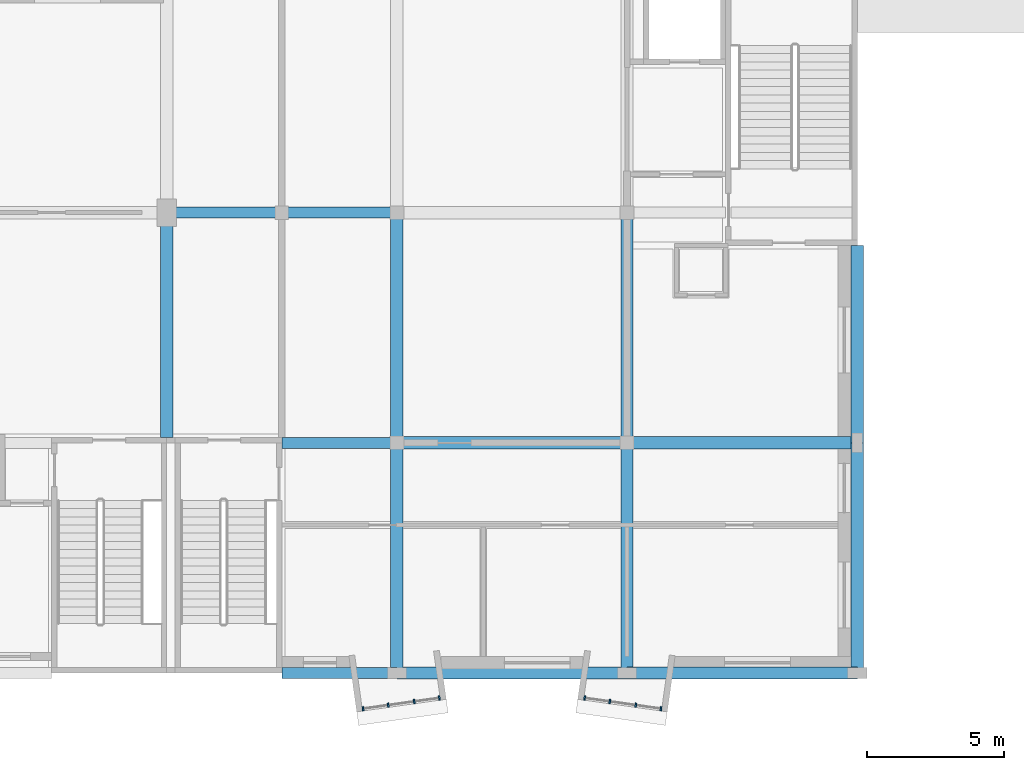
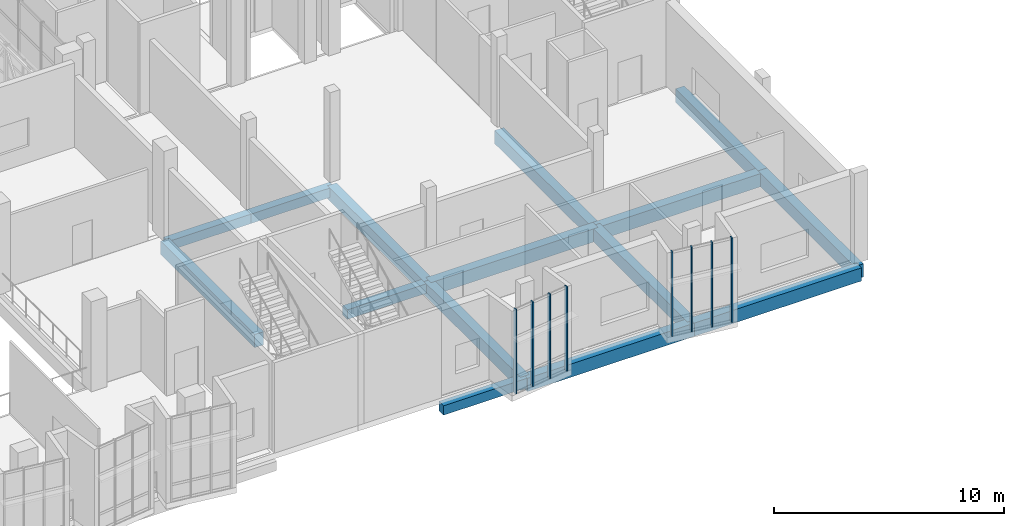
# One storey, part 6 of 86: 15 beams, 8 members, 2 elements without a shape of their own.
"""IFC4 building model written with IfcOpenShell, lengths in metres."""

from ifc_helpers import new_model, si_unit, direction, frame, origin, origin_2d, place, context, subcontext, project, spatial, rectangle, extrude, material, layer, layer_set, material_profile, profile_set, type_object, element, aggregate, save


model = new_model("IFC4")

# Units and contexts
model_context = context("Model", 3, precision=1e-05, world=origin(), true_north=direction((0.0, 1.0)))
body_context = subcontext(model_context, "Body", "Model", "MODEL_VIEW")
ifc_project = project(units=[si_unit("LENGTHUNIT", "METRE"), si_unit("AREAUNIT", "SQUARE_METRE"), si_unit("VOLUMEUNIT", "CUBIC_METRE"), si_unit("PLANEANGLEUNIT", "RADIAN"), si_unit("MASSUNIT", "GRAM", prefix="KILO")], contexts=[model_context])

# Site, building, storey
site_placement = place(None, origin())
site = spatial("IfcSite", under=ifc_project, at=site_placement, CompositionType="ELEMENT")
building_placement = place(site_placement, origin())
building = spatial("IfcBuilding", under=site, at=building_placement, Name="Kiln Court Media Centre", CompositionType="ELEMENT")
storey_placement = place(building_placement, frame((0.0, 0.0, 10.199951171875)))
storey = spatial("IfcBuildingStorey", under=building, at=storey_placement, Name="L02", CompositionType="ELEMENT", Elevation=10.199951171875)

# Curtain wall, members
ifc_material_1 = material(Name="Aluminium 6063-T6", Category="aluminium")
ifc_layer = layer(ifc_material_1, 0.1201171875)
ifc_layer_set = layer_set([ifc_layer], Name="Aluminium unitised bay curtain wall")
curtain_wall_type = type_object("IfcCurtainWallType", Name="Aluminium unitised bay curtain wall", PredefinedType="USERDEFINED", material=ifc_layer_set)
curtain_wall_1_placement = place(storey_placement, origin())
curtain_wall_1 = element("IfcCurtainWall", 1, at=curtain_wall_1_placement, inside=storey, type_object=curtain_wall_type, Name="BAY V6B-S-L02-04 front", ObjectType="UNITISED CURTAIN WALL", PredefinedType="USERDEFINED")
ifc_material_2 = material(Name="Aluminium 6063-T6", Category="aluminium")
ifc_material_profile_1 = material_profile(ifc_material_2, rectangle(XDim=0.06005859375, YDim=0.159912109375, at=origin_2d()), Name="Aluminium mullion 60x160")
ifc_profile_set_1 = profile_set([ifc_material_profile_1], Name="Aluminium 6063-T6")
member_type = type_object("IfcMemberType", Name="Aluminium mullion 60x160", PredefinedType="MULLION", material=ifc_profile_set_1)
member_1_placement = place(storey_placement, frame((40.764404296875, -1.3046875, 0.0), z_axis=(0.0, 0.0, 1.0), x_axis=(0.990269562409, 0.139162472554, 0.0)))
member_1 = element("IfcMember", 2, at=member_1_placement, type_object=member_type, Name="CW2-13 mullion 1", PredefinedType="MULLION", context=body_context, shape_type="SweptSolid", body=[
    extrude(rectangle(XDim=0.06005859375, YDim=0.159912109375, at=origin_2d()), origin(), (0.0, 0.0, 1.0), 4.5),
])
member_2_placement = place(storey_placement, frame((41.68212890625, -1.17578125, 0.0), z_axis=(0.0, 0.0, 1.0), x_axis=(0.990269562409, 0.139162472554, 0.0)))
member_2 = element("IfcMember", 3, at=member_2_placement, type_object=member_type, Name="CW2-13 mullion 2", PredefinedType="MULLION", context=body_context, shape_type="SweptSolid", body=[
    extrude(rectangle(XDim=0.06005859375, YDim=0.159912109375, at=origin_2d()), origin(), (0.0, 0.0, 1.0), 4.5),
])
member_3_placement = place(storey_placement, frame((42.629638671875, -1.04248046875, 0.0), z_axis=(0.0, 0.0, 1.0), x_axis=(0.990269562409, 0.139162472554, 0.0)))
member_3 = element("IfcMember", 4, at=member_3_placement, type_object=member_type, Name="CW2-13 mullion 3", PredefinedType="MULLION", context=body_context, shape_type="SweptSolid", body=[
    extrude(rectangle(XDim=0.06005859375, YDim=0.159912109375, at=origin_2d()), origin(), (0.0, 0.0, 1.0), 4.5),
])
member_4_placement = place(storey_placement, frame((43.547119140625, -0.91357421875, 0.0), z_axis=(0.0, 0.0, 1.0), x_axis=(0.990269562409, 0.139162472554, 0.0)))
member_4 = element("IfcMember", 5, at=member_4_placement, type_object=member_type, Name="CW2-13 mullion 4", PredefinedType="MULLION", context=body_context, shape_type="SweptSolid", body=[
    extrude(rectangle(XDim=0.06005859375, YDim=0.159912109375, at=origin_2d()), origin(), (0.0, 0.0, 1.0), 4.5),
])
aggregate(curtain_wall_1, [member_1, member_2, member_3, member_4])

curtain_wall_2_placement = place(storey_placement, origin())
curtain_wall_2 = element("IfcCurtainWall", 6, at=curtain_wall_2_placement, inside=storey, type_object=curtain_wall_type, Name="BAY V6B-S-L02-05 front", ObjectType="UNITISED CURTAIN WALL", PredefinedType="USERDEFINED")
member_5_placement = place(storey_placement, frame((48.852783203125, -0.91357421875, 0.0), z_axis=(0.0, 0.0, 1.0), x_axis=(0.990269562409, -0.139162472554, 0.0)))
member_5 = element("IfcMember", 7, at=member_5_placement, type_object=member_type, Name="CW2-14 mullion 1", PredefinedType="MULLION", context=body_context, shape_type="SweptSolid", body=[
    extrude(rectangle(XDim=0.06005859375, YDim=0.159912109375, at=origin_2d()), origin(), (0.0, 0.0, 1.0), 4.5),
])
member_6_placement = place(storey_placement, frame((49.7705078125, -1.04248046875, 0.0), z_axis=(0.0, 0.0, 1.0), x_axis=(0.990269562409, -0.139162472554, 0.0)))
member_6 = element("IfcMember", 8, at=member_6_placement, type_object=member_type, Name="CW2-14 mullion 2", PredefinedType="MULLION", context=body_context, shape_type="SweptSolid", body=[
    extrude(rectangle(XDim=0.06005859375, YDim=0.159912109375, at=origin_2d()), origin(), (0.0, 0.0, 1.0), 4.5),
])
member_7_placement = place(storey_placement, frame((50.7177734375, -1.17578125, 0.0), z_axis=(0.0, 0.0, 1.0), x_axis=(0.990269562409, -0.139162472554, 0.0)))
member_7 = element("IfcMember", 9, at=member_7_placement, type_object=member_type, Name="CW2-14 mullion 3", PredefinedType="MULLION", context=body_context, shape_type="SweptSolid", body=[
    extrude(rectangle(XDim=0.06005859375, YDim=0.159912109375, at=origin_2d()), origin(), (0.0, 0.0, 1.0), 4.5),
])
member_8_placement = place(storey_placement, frame((51.635498046875, -1.3046875, 0.0), z_axis=(0.0, 0.0, 1.0), x_axis=(0.990269562409, -0.139162472554, 0.0)))
member_8 = element("IfcMember", 10, at=member_8_placement, type_object=member_type, Name="CW2-14 mullion 4", PredefinedType="MULLION", context=body_context, shape_type="SweptSolid", body=[
    extrude(rectangle(XDim=0.06005859375, YDim=0.159912109375, at=origin_2d()), origin(), (0.0, 0.0, 1.0), 4.5),
])
aggregate(curtain_wall_2, [member_5, member_6, member_7, member_8])

# Beams
ifc_material_3 = material(Name="Concrete C30/37", Category="concrete")
ifc_material_profile_2 = material_profile(ifc_material_3, rectangle(XDim=0.39990234375, YDim=0.5, at=origin_2d()), Name="RC 400x500")
ifc_profile_set_2 = profile_set([ifc_material_profile_2], Name="Concrete C30/37")
beam_type_1 = type_object("IfcBeamType", Name="Concrete C30/37 beam 400x500", PredefinedType="BEAM", material=ifc_profile_set_2)
for number, where, z_axis, x_axis, name in (
    (11, (37.800048828125, 0.0, -0.550048828125), (1.0, 0.0, 0.0), (0.0, 1.0, 0.0), "L02-B-1036"),
    (12, (37.800048828125, 8.39990234375, -0.550048828125), (1.0, 0.0, 0.0), (0.0, 1.0, 0.0), "L02-B-1039"),
):
    element("IfcBeam", number, at=place(storey_placement, frame(where, z_axis=z_axis, x_axis=x_axis)), inside=storey, type_object=beam_type_1, Name=name, PredefinedType="BEAM", context=body_context, shape_type="SweptSolid", body=[
        extrude(rectangle(XDim=0.39990234375, YDim=0.5, at=origin_2d()), origin(), (0.0, 0.0, 1.0), 4.199951171875),
    ])
beam_1_placement = place(storey_placement, frame((33.64990234375, 16.800048828125, -0.550048828125), z_axis=(1.0, 0.0, 0.0), x_axis=(0.0, 1.0, 0.0)))
element("IfcBeam", 13, at=beam_1_placement, inside=storey, type_object=beam_type_1, Name="L02-B-1042", PredefinedType="BEAM", context=body_context, shape_type="SweptSolid", body=[
    extrude(rectangle(XDim=0.39990234375, YDim=0.5, at=origin_2d()), origin(), (0.0, 0.0, 1.0), 4.151123046875),
])
beam_2_placement = place(storey_placement, frame((37.801025390625, 16.800048828125, -0.550048828125), z_axis=(1.0, 0.0, 0.0), x_axis=(0.0, 1.0, 0.0)))
element("IfcBeam", 14, at=beam_2_placement, inside=storey, type_object=beam_type_1, Name="L02-B-1043", PredefinedType="BEAM", context=body_context, shape_type="SweptSolid", body=[
    extrude(rectangle(XDim=0.39990234375, YDim=0.5, at=origin_2d()), origin(), (0.0, 0.0, 1.0), 4.198974609375),
])
ifc_material_4 = material(Name="Concrete C30/37", Category="concrete")
ifc_material_profile_3 = material_profile(ifc_material_4, rectangle(XDim=0.449951171875, YDim=0.699951171875, at=origin_2d()), Name="RC 450x700")
ifc_profile_set_3 = profile_set([ifc_material_profile_3], Name="Concrete C30/37")
beam_type_2 = type_object("IfcBeamType", Name="Concrete C30/37 beam 450x700", PredefinedType="BEAM", material=ifc_profile_set_3)
beam_3_placement = place(storey_placement, frame((33.60009765625, 8.60009765625, -0.64990234375), z_axis=(0.0, 1.0, 0.0), x_axis=(-1.0, 0.0, 0.0)))
element("IfcBeam", 15, at=beam_3_placement, inside=storey, type_object=beam_type_2, Name="L02-B-1008", PredefinedType="BEAM", context=body_context, shape_type="SweptSolid", body=[
    extrude(rectangle(XDim=0.449951171875, YDim=0.699951171875, at=origin_2d()), origin(), (0.0, 0.0, 1.0), 8.199951171875),
])
beam_4_placement = place(storey_placement, frame((42.0, 0.0, -0.64990234375), z_axis=(0.0, 1.0, 0.0), x_axis=(-1.0, 0.0, 0.0)))
element("IfcBeam", 16, at=beam_4_placement, inside=storey, type_object=beam_type_2, Name="L02-B-1028", PredefinedType="BEAM", context=body_context, shape_type="SweptSolid", body=[
    extrude(rectangle(XDim=0.449951171875, YDim=0.699951171875, at=origin_2d()), origin(), (0.0, 0.0, 1.0), 8.39990234375),
])
beam_5_placement = place(storey_placement, frame((42.0, 8.39990234375, -0.64990234375), z_axis=(0.0, 1.0, 0.0), x_axis=(-1.0, 0.0, 0.0)))
element("IfcBeam", 17, at=beam_5_placement, inside=storey, type_object=beam_type_2, Name="L02-B-1029", PredefinedType="BEAM", context=body_context, shape_type="SweptSolid", body=[
    extrude(rectangle(XDim=0.449951171875, YDim=0.699951171875, at=origin_2d()), origin(), (0.0, 0.0, 1.0), 8.400146484375),
])
beam_6_placement = place(storey_placement, frame((50.39990234375, 0.0, -0.64990234375), z_axis=(0.0, 1.0, 0.0), x_axis=(-1.0, 0.0, 0.0)))
element("IfcBeam", 18, at=beam_6_placement, inside=storey, type_object=beam_type_2, Name="L02-B-1031", PredefinedType="BEAM", context=body_context, shape_type="SweptSolid", body=[
    extrude(rectangle(XDim=0.449951171875, YDim=0.699951171875, at=origin_2d()), origin(), (0.0, 0.0, 1.0), 8.39990234375),
])
beam_7_placement = place(storey_placement, frame((50.39990234375, 8.39990234375, -0.64990234375), z_axis=(0.0, 1.0, 0.0), x_axis=(-1.0, 0.0, 0.0)))
element("IfcBeam", 19, at=beam_7_placement, inside=storey, type_object=beam_type_2, Name="L02-B-1032", PredefinedType="BEAM", context=body_context, shape_type="SweptSolid", body=[
    extrude(rectangle(XDim=0.449951171875, YDim=0.699951171875, at=origin_2d()), origin(), (0.0, 0.0, 1.0), 8.400146484375),
])
beam_8_placement = place(storey_placement, frame((58.800048828125, 0.0, -0.64990234375), z_axis=(0.0, 1.0, 0.0), x_axis=(-1.0, 0.0, 0.0)))
element("IfcBeam", 20, at=beam_8_placement, inside=storey, type_object=beam_type_2, Name="L02-B-1034", PredefinedType="BEAM", context=body_context, shape_type="SweptSolid", body=[
    extrude(rectangle(XDim=0.449951171875, YDim=0.699951171875, at=origin_2d()), origin(), (0.0, 0.0, 1.0), 8.39990234375),
])
beam_9_placement = place(storey_placement, frame((58.800048828125, 8.39990234375, -0.64990234375), z_axis=(0.0, 1.0, 0.0), x_axis=(-1.0, 0.0, 0.0)))
element("IfcBeam", 21, at=beam_9_placement, inside=storey, type_object=beam_type_2, Name="L02-B-1035", PredefinedType="BEAM", context=body_context, shape_type="SweptSolid", body=[
    extrude(rectangle(XDim=0.449951171875, YDim=0.699951171875, at=origin_2d()), origin(), (0.0, 0.0, 1.0), 7.2001953125),
])
beam_10_placement = place(storey_placement, frame((42.0, 0.0, -0.64990234375), z_axis=(1.0, 0.0, 0.0), x_axis=(0.0, 1.0, 0.0)))
element("IfcBeam", 22, at=beam_10_placement, inside=storey, type_object=beam_type_2, Name="L02-B-1037", PredefinedType="BEAM", context=body_context, shape_type="SweptSolid", body=[
    extrude(rectangle(XDim=0.449951171875, YDim=0.699951171875, at=origin_2d()), origin(), (0.0, 0.0, 1.0), 8.39990234375),
])
beam_11_placement = place(storey_placement, frame((50.39990234375, 0.0, -0.64990234375), z_axis=(1.0, 0.0, 0.0), x_axis=(0.0, 1.0, 0.0)))
element("IfcBeam", 23, at=beam_11_placement, inside=storey, type_object=beam_type_2, Name="L02-B-1038", PredefinedType="BEAM", context=body_context, shape_type="SweptSolid", body=[
    extrude(rectangle(XDim=0.449951171875, YDim=0.699951171875, at=origin_2d()), origin(), (0.0, 0.0, 1.0), 8.400146484375),
])
beam_12_placement = place(storey_placement, frame((42.0, 8.39990234375, -0.64990234375), z_axis=(1.0, 0.0, 0.0), x_axis=(0.0, 1.0, 0.0)))
element("IfcBeam", 24, at=beam_12_placement, inside=storey, type_object=beam_type_2, Name="L02-B-1040", PredefinedType="BEAM", context=body_context, shape_type="SweptSolid", body=[
    extrude(rectangle(XDim=0.449951171875, YDim=0.699951171875, at=origin_2d()), origin(), (0.0, 0.0, 1.0), 8.39990234375),
])
beam_13_placement = place(storey_placement, frame((50.39990234375, 8.39990234375, -0.64990234375), z_axis=(1.0, 0.0, 0.0), x_axis=(0.0, 1.0, 0.0)))
element("IfcBeam", 25, at=beam_13_placement, inside=storey, type_object=beam_type_2, Name="L02-B-1041", PredefinedType="BEAM", context=body_context, shape_type="SweptSolid", body=[
    extrude(rectangle(XDim=0.449951171875, YDim=0.699951171875, at=origin_2d()), origin(), (0.0, 0.0, 1.0), 8.400146484375),
])

save(model, "model.ifc")
